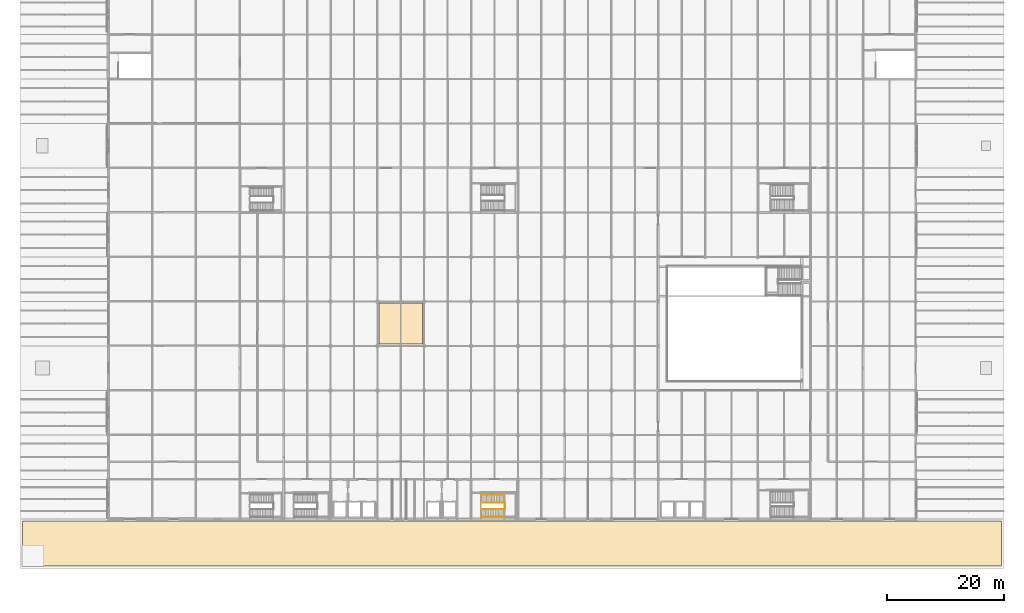
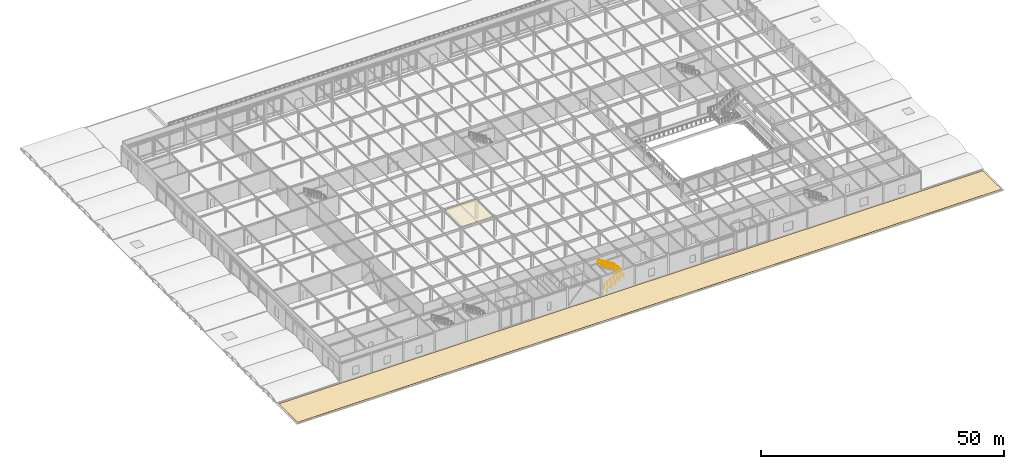
# One storey, part 109 of 113: 3 railings, 2 coverings.
"""IFC4 building model written with IfcOpenShell, lengths in metres."""

from ifc_helpers import new_model, si_unit, direction, frame, origin, origin_2d, place, context, subcontext, project, spatial, polyline, circle, outline, extrude, material, layer, layer_set, type_object, element, save


model = new_model("IFC4")

# Units and contexts
model_context = context("Model", 3, precision=1e-05, world=origin(), true_north=direction((0.0, 1.0)))
body_context = subcontext(model_context, "Body", "Model", "MODEL_VIEW")
ifc_project = project(units=[si_unit("LENGTHUNIT", "METRE"), si_unit("AREAUNIT", "SQUARE_METRE"), si_unit("VOLUMEUNIT", "CUBIC_METRE"), si_unit("PLANEANGLEUNIT", "RADIAN"), si_unit("MASSUNIT", "GRAM", prefix="KILO")], contexts=[model_context])

# Site, building, storey
site_placement = place(None, origin())
site = spatial("IfcSite", under=ifc_project, at=site_placement, CompositionType="ELEMENT")
building_placement = place(site_placement, origin())
building = spatial("IfcBuilding", under=site, at=building_placement, Name="Shalkamar Park Central Library", CompositionType="ELEMENT")
storey_placement = place(building_placement, frame((0.0, 0.0, 5.39990234375)))
storey = spatial("IfcBuildingStorey", under=building, at=storey_placement, Name="L02", CompositionType="ELEMENT", Elevation=5.39990234375)

# Coverings
ifc_material_1 = material(Name="Acoustic mineral fibre ceiling panel", Category="other")
ifc_layer_1 = layer(ifc_material_1, 0.02490234375)
ifc_layer_set_1 = layer_set([ifc_layer_1], Name="AcousticMineralCeilingTile")
covering_type_1 = type_object("IfcCoveringType", Name="Acoustic Mineral Ceiling Tile", PredefinedType="CEILING", material=ifc_layer_set_1)
covering_1_placement = place(storey_placement, frame((0.0, 0.0, 4.835205078125)))
element("IfcCovering", 1, at=covering_1_placement, inside=storey, type_object=covering_type_1, Name="Acoustic Reading Ceiling Panel L02", PredefinedType="CEILING", context=body_context, shape_type="SweptSolid", body=[
    extrude(outline(polyline([(181.300048828125, 278.300048828125), (188.699951171875, 278.300048828125), (188.699951171875, 285.300048828125), (181.300048828125, 285.300048828125), (181.300048828125, 278.300048828125)])), origin(), (0.0, 0.0, 1.0), 0.02490234375),
])
ifc_material_2 = material(Name="SBS modified bitumen roofing membrane", Category="other")
ifc_layer_2 = layer(ifc_material_2, 0.030029296875)
ifc_layer_set_2 = layer_set([ifc_layer_2], Name="ColdClimateRoofMembrane")
covering_type_2 = type_object("IfcCoveringType", Name="Cold Climate Roof Membrane", PredefinedType="ROOFING", material=ifc_layer_set_2)
covering_2_placement = place(storey_placement, origin())
element("IfcCovering", 2, at=covering_2_placement, inside=storey, type_object=covering_type_2, Name="SBS Roof Waterproofing Membrane RF-L01-S", PredefinedType="ROOFING", context=body_context, shape_type="SweptSolid", body=[
    extrude(outline(polyline([(120.35009765625, 240.35009765625), (287.64990234375, 240.35009765625), (287.64990234375, 248.050048828125), (120.35009765625, 248.050048828125), (120.35009765625, 240.35009765625)])), origin(), (0.0, 0.0, 1.0), 0.030029296875),
])

# Railings
ifc_material_3 = material(Name="Steel S355", Category="steel")
railing_type_1 = type_object("IfcRailingType", Name="Stair Guardrail 1100", PredefinedType="GUARDRAIL", material=ifc_material_3)
railing_1_placement = place(storey_placement, frame((198.800048828125, 250.090087890625, 0.170166015625)))
element("IfcRailing", 3, at=railing_1_placement, inside=storey, type_object=railing_type_1, Name="Stair Inner Well Guardrail ST-T2-L02", PredefinedType="GUARDRAIL", context=body_context, shape_type="SweptSolid", body=[
    extrude(circle(Radius=0.02392578125, at=origin_2d()), frame((0.0, 0.0, 1.076171875), z_axis=(0.854794262968, 0.0, 0.518967020143), x_axis=(0.0, 1.0, 0.0)), (0.0, 0.0, 1.0), 4.585693359375),
    extrude(circle(Radius=0.02392578125, at=origin_2d()), frame((3.919921875, 0.0, 3.4560546875), z_axis=(1.0, 0.0, 0.0), x_axis=(0.0, 1.0, 0.0)), (0.0, 0.0, 1.0), 0.06005859375),
    extrude(circle(Radius=0.02392578125, at=origin_2d()), frame((3.97998046875, 0.0, 3.4560546875), z_axis=(0.0, 1.0, 0.0), x_axis=(-1.0, 0.0, 0.0)), (0.0, 0.0, 1.0), 1.119873046875),
    extrude(circle(Radius=0.02392578125, at=origin_2d()), frame((3.97998046875, 1.119873046875, 3.4560546875), z_axis=(-0.332820117735, 0.0, 0.942990333583), x_axis=(0.0, -1.0, 0.0)), (0.0, 0.0, 1.0), 0.180419921875),
    extrude(circle(Radius=0.02392578125, at=origin_2d()), frame((3.919921875, 1.119873046875, 3.6259765625), z_axis=(-0.854794262968, 0.0, 0.518967020143), x_axis=(0.0, -1.0, 0.0)), (0.0, 0.0, 1.0), 4.585693359375),
    extrude(circle(Radius=0.02099609375, at=origin_2d()), origin(), (0.0, 0.0, 1.0), 1.052001953125),
    extrude(circle(Radius=0.02099609375, at=origin_2d()), frame((0.783935546875, 0.0, 0.47607421875)), (0.0, 0.0, 1.0), 1.052001953125),
    extrude(circle(Radius=0.02099609375, at=origin_2d()), frame((1.56787109375, 0.0, 0.951904296875)), (0.0, 0.0, 1.0), 1.052001953125),
    extrude(circle(Radius=0.02099609375, at=origin_2d()), frame((2.35205078125, 0.0, 1.427978515625)), (0.0, 0.0, 1.0), 1.052001953125),
    extrude(circle(Radius=0.02099609375, at=origin_2d()), frame((3.135986328125, 0.0, 1.90380859375)), (0.0, 0.0, 1.0), 1.052001953125),
    extrude(circle(Radius=0.02099609375, at=origin_2d()), frame((3.919921875, 0.0, 2.3798828125)), (0.0, 0.0, 1.0), 1.052001953125),
    extrude(circle(Radius=0.02099609375, at=origin_2d()), frame((3.97998046875, 0.0, 2.3798828125)), (0.0, 0.0, 1.0), 1.052001953125),
    extrude(circle(Radius=0.02099609375, at=origin_2d()), frame((3.97998046875, 0.56005859375, 2.3798828125)), (0.0, 0.0, 1.0), 1.052001953125),
    extrude(circle(Radius=0.02099609375, at=origin_2d()), frame((3.97998046875, 1.119873046875, 2.3798828125)), (0.0, 0.0, 1.0), 1.052001953125),
    extrude(circle(Radius=0.02099609375, at=origin_2d()), frame((3.919921875, 1.119873046875, 2.550048828125)), (0.0, 0.0, 1.0), 1.052001953125),
    extrude(circle(Radius=0.02099609375, at=origin_2d()), frame((3.135986328125, 1.119873046875, 3.026123046875)), (0.0, 0.0, 1.0), 1.052001953125),
    extrude(circle(Radius=0.02099609375, at=origin_2d()), frame((2.35205078125, 1.119873046875, 3.501953125)), (0.0, 0.0, 1.0), 1.052001953125),
    extrude(circle(Radius=0.02099609375, at=origin_2d()), frame((1.56787109375, 1.119873046875, 3.97802734375)), (0.0, 0.0, 1.0), 1.052001953125),
    extrude(circle(Radius=0.02099609375, at=origin_2d()), frame((0.783935546875, 1.119873046875, 4.453857421875)), (0.0, 0.0, 1.0), 1.052001953125),
    extrude(circle(Radius=0.02099609375, at=origin_2d()), frame((0.0, 1.119873046875, 4.929931640625)), (0.0, 0.0, 1.0), 1.052001953125),
])
railing_type_2 = type_object("IfcRailingType", Name="Stair Pitched Handrail 920", PredefinedType="HANDRAIL", material=ifc_material_3)
railing_2_placement = place(storey_placement, frame((198.800048828125, 248.780029296875, 0.170166015625)))
element("IfcRailing", 4, at=railing_2_placement, inside=storey, type_object=railing_type_2, Name="Stair Wall Handrail ST-T2-L02 Flight 1", PredefinedType="HANDRAIL", context=body_context, shape_type="SweptSolid", body=[
    extrude(circle(Radius=0.02392578125, at=origin_2d()), frame((0.0, 0.0, 0.89599609375), z_axis=(0.854794262968, 0.0, 0.518967020143), x_axis=(0.0, 1.0, 0.0)), (0.0, 0.0, 1.0), 4.585693359375),
    extrude(circle(Radius=0.02099609375, at=origin_2d()), origin(), (0.0, 0.0, 1.0), 0.871826171875),
    extrude(circle(Radius=0.02099609375, at=origin_2d()), frame((0.97998046875, 0.0, 0.594970703125)), (0.0, 0.0, 1.0), 0.871826171875),
    extrude(circle(Radius=0.02099609375, at=origin_2d()), frame((1.9599609375, 0.0, 1.18994140625)), (0.0, 0.0, 1.0), 0.871826171875),
    extrude(circle(Radius=0.02099609375, at=origin_2d()), frame((2.93994140625, 0.0, 1.784912109375)), (0.0, 0.0, 1.0), 0.871826171875),
    extrude(circle(Radius=0.02099609375, at=origin_2d()), frame((3.919921875, 0.0, 2.3798828125)), (0.0, 0.0, 1.0), 0.871826171875),
])
railing_3_placement = place(storey_placement, frame((202.719970703125, 252.60009765625, 2.72021484375)))
element("IfcRailing", 5, at=railing_3_placement, inside=storey, type_object=railing_type_2, Name="Stair Wall Handrail ST-T2-L02 Flight 2", PredefinedType="HANDRAIL", context=body_context, shape_type="SweptSolid", body=[
    extrude(circle(Radius=0.02392578125, at=origin_2d()), frame((0.0, 0.0, 0.89599609375), z_axis=(-0.854794262968, 0.0, 0.518967020143), x_axis=(0.0, -1.0, 0.0)), (0.0, 0.0, 1.0), 4.585693359375),
    extrude(circle(Radius=0.02099609375, at=origin_2d()), origin(), (0.0, 0.0, 1.0), 0.871826171875),
    extrude(circle(Radius=0.02099609375, at=origin_2d()), frame((-0.97998046875, 0.0, 0.594970703125)), (0.0, 0.0, 1.0), 0.871826171875),
    extrude(circle(Radius=0.02099609375, at=origin_2d()), frame((-1.9599609375, 0.0, 1.18994140625)), (0.0, 0.0, 1.0), 0.871826171875),
    extrude(circle(Radius=0.02099609375, at=origin_2d()), frame((-2.93994140625, 0.0, 1.784912109375)), (0.0, 0.0, 1.0), 0.871826171875),
    extrude(circle(Radius=0.02099609375, at=origin_2d()), frame((-3.919921875, 0.0, 2.3798828125)), (0.0, 0.0, 1.0), 0.871826171875),
])

save(model, "model.ifc")
